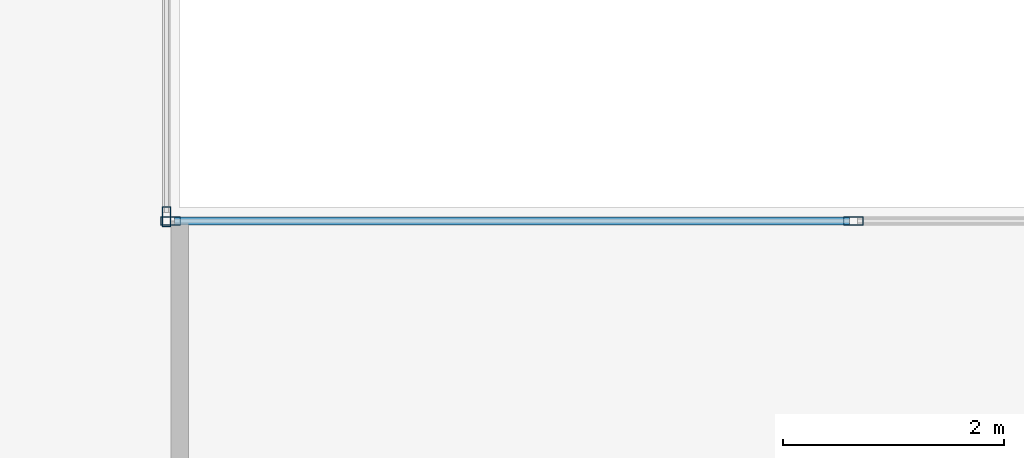
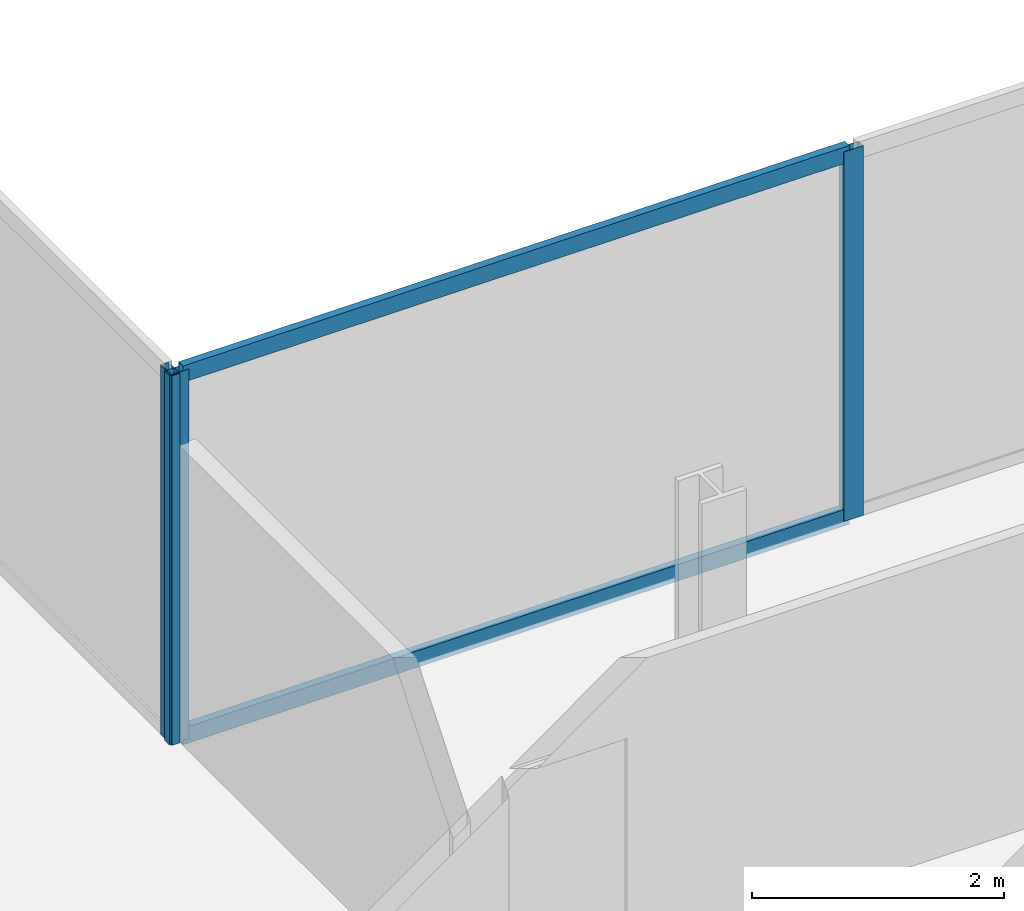
# One storey, part 7 of 23: 5 members, 2 elements without a shape of their own.
"""IFC4 building model written with IfcOpenShell, lengths in metres."""

from ifc_helpers import new_model, si_unit, direction, frame, origin, origin_2d, place, context, subcontext, project, spatial, hollow_rectangle, extrude, material, material_profile, profile_set, type_object, element, aggregate, save


model = new_model("IFC4")

# Units and contexts
model_context = context("Model", 3, precision=1e-05, world=origin(), true_north=direction((0.0, 1.0)))
body_context = subcontext(model_context, "Body", "Model", "MODEL_VIEW")
ifc_project = project(units=[si_unit("LENGTHUNIT", "METRE"), si_unit("AREAUNIT", "SQUARE_METRE"), si_unit("VOLUMEUNIT", "CUBIC_METRE"), si_unit("PLANEANGLEUNIT", "RADIAN"), si_unit("MASSUNIT", "GRAM", prefix="KILO")], contexts=[model_context])

# Site, building, storey
site_placement = place(None, origin())
site = spatial("IfcSite", under=ifc_project, at=site_placement, CompositionType="ELEMENT")
building_placement = place(site_placement, origin())
building = spatial("IfcBuilding", under=site, at=building_placement, Name="Cobrela Telecom Tower", CompositionType="ELEMENT")
storey_placement = place(building_placement, frame((0.0, 0.0, 133.0)))
storey = spatial("IfcBuildingStorey", under=building, at=storey_placement, Name="L33", CompositionType="ELEMENT", Elevation=133.0)

# Curtain wall, member
ifc_material = material(Name="Anodized Bronze Aluminium 6063-T6", Category="aluminium")
curtain_wall_type = type_object("IfcCurtainWallType", Name="CW-SYS-TEL", PredefinedType="USERDEFINED", material=ifc_material)
curtain_wall_1_placement = place(storey_placement, origin())
curtain_wall_1 = element("IfcCurtainWall", 1, at=curtain_wall_1_placement, inside=storey, type_object=curtain_wall_type, Name="L33 Unitised Bronze Curtain Wall 10", ObjectType="UNITISED CURTAIN WALL", PredefinedType="USERDEFINED")
ifc_material_profile_1 = material_profile(ifc_material, hollow_rectangle(XDim=0.074951171875, YDim=0.179931640625, WallThickness=0.00390625, at=origin_2d()), Name="ALU 75x180x4")
ifc_profile_set_1 = profile_set([ifc_material_profile_1], Name="Anodized Bronze Aluminium 6063-T6")
member_type_1 = type_object("IfcMemberType", Name="CW-SYS-TEL-MUL", PredefinedType="MULLION", material=ifc_profile_set_1)
member_1_placement = place(storey_placement, frame((25.8798828125, 25.117431640625, 0.0), z_axis=(0.0, 0.0, 1.0), x_axis=(1.0, 0.0, 0.0)))
member_1 = element("IfcMember", 2, at=member_1_placement, type_object=member_type_1, Name="CW-TEL mullion 3", PredefinedType="MULLION", context=body_context, shape_type="SweptSolid", body=[
    extrude(hollow_rectangle(XDim=0.074951171875, YDim=0.179931640625, WallThickness=0.00390625, at=origin_2d()), origin(), (0.0, 0.0, 1.0), 3.580078125),
])
aggregate(curtain_wall_1, [member_1])

# Curtain wall, members
curtain_wall_2_placement = place(storey_placement, origin())
curtain_wall_2 = element("IfcCurtainWall", 3, at=curtain_wall_2_placement, inside=storey, type_object=curtain_wall_type, Name="L33 Unitised Bronze Curtain Wall 11", ObjectType="UNITISED CURTAIN WALL", PredefinedType="USERDEFINED")
member_2_placement = place(storey_placement, frame((25.91748046875, 25.080078125, 0.0), z_axis=(0.0, 0.0, 1.0), x_axis=(0.0, 1.0, 0.0)))
member_2 = element("IfcMember", 4, at=member_2_placement, type_object=member_type_1, Name="CW-TEL mullion 1", PredefinedType="MULLION", context=body_context, shape_type="SweptSolid", body=[
    extrude(hollow_rectangle(XDim=0.074951171875, YDim=0.179931640625, WallThickness=0.00390625, at=origin_2d()), origin(), (0.0, 0.0, 1.0), 3.580078125),
])
member_3_placement = place(storey_placement, frame((32.0966796875, 25.080078125, 0.0), z_axis=(0.0, 0.0, 1.0), x_axis=(0.0, 1.0, 0.0)))
member_3 = element("IfcMember", 5, at=member_3_placement, type_object=member_type_1, Name="CW-TEL mullion 2", PredefinedType="MULLION", context=body_context, shape_type="SweptSolid", body=[
    extrude(hollow_rectangle(XDim=0.074951171875, YDim=0.179931640625, WallThickness=0.00390625, at=origin_2d()), origin(), (0.0, 0.0, 1.0), 3.580078125),
])
ifc_material_profile_2 = material_profile(ifc_material, hollow_rectangle(XDim=0.070068359375, YDim=0.159912109375, WallThickness=0.00390625, at=origin_2d()), Name="ALU 70x160x4")
ifc_profile_set_2 = profile_set([ifc_material_profile_2], Name="Anodized Bronze Aluminium 6063-T6")
member_type_2 = type_object("IfcMemberType", Name="CW-SYS-TEL-TRN", PredefinedType="USERDEFINED", material=ifc_profile_set_2)
member_4_placement = place(storey_placement, frame((25.955078125, 25.080078125, 0.034912109375), z_axis=(1.0, 0.0, 0.0), x_axis=(0.0, 1.0, 0.0)))
member_4 = element("IfcMember", 6, at=member_4_placement, type_object=member_type_2, Name="CW-TEL transom 1.1", ObjectType="TRANSOM", PredefinedType="USERDEFINED", context=body_context, shape_type="SweptSolid", body=[
    extrude(hollow_rectangle(XDim=0.070068359375, YDim=0.159912109375, WallThickness=0.00390625, at=origin_2d()), origin(), (0.0, 0.0, 1.0), 6.10400390625),
])
member_5_placement = place(storey_placement, frame((25.955078125, 25.080078125, 3.544921875), z_axis=(1.0, 0.0, 0.0), x_axis=(0.0, 1.0, 0.0)))
member_5 = element("IfcMember", 7, at=member_5_placement, type_object=member_type_2, Name="CW-TEL transom 1.2", ObjectType="TRANSOM", PredefinedType="USERDEFINED", context=body_context, shape_type="SweptSolid", body=[
    extrude(hollow_rectangle(XDim=0.070068359375, YDim=0.159912109375, WallThickness=0.00390625, at=origin_2d()), origin(), (0.0, 0.0, 1.0), 6.10400390625),
])
aggregate(curtain_wall_2, [member_2, member_3, member_4, member_5])

save(model, "model.ifc")
